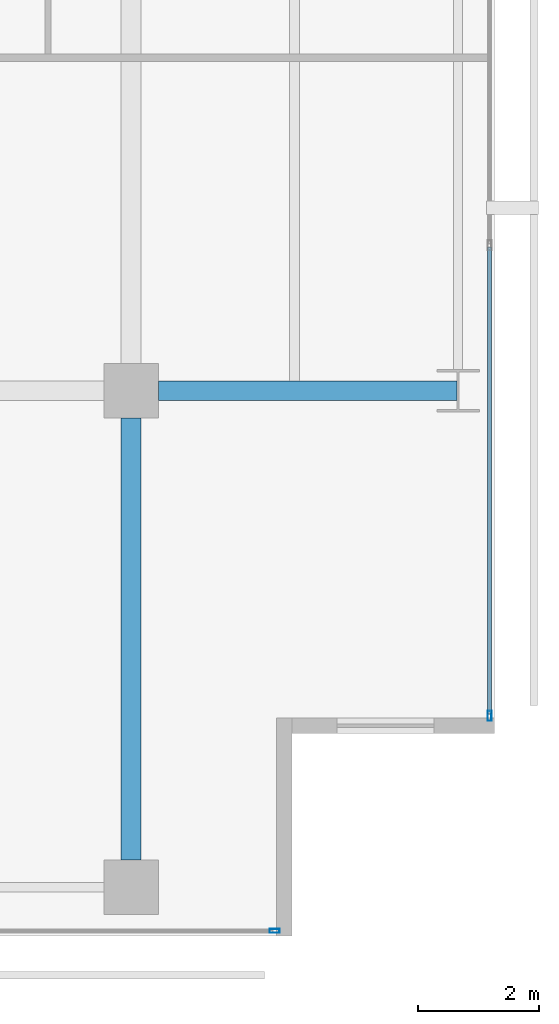
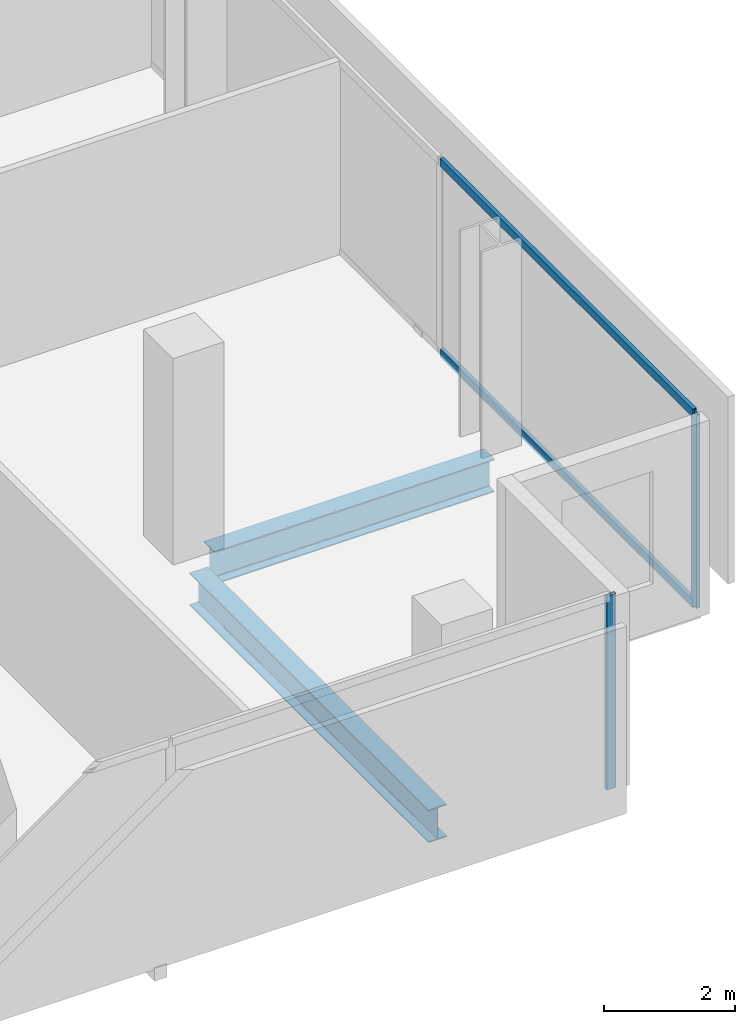
# One storey, part 16 of 40: 4 members, 2 beams, 2 elements without a shape of their own.
"""IFC4 building model written with IfcOpenShell, lengths in metres."""

from ifc_helpers import new_model, si_unit, direction, frame, origin, origin_2d, place, context, subcontext, project, spatial, hollow_rectangle, i_section, extrude, material, layer, layer_set, material_profile, profile_set, type_object, element, aggregate, save


model = new_model("IFC4")

# Units and contexts
model_context = context("Model", 3, precision=1e-05, world=origin(), true_north=direction((0.0, 1.0)))
body_context = subcontext(model_context, "Body", "Model", "MODEL_VIEW")
ifc_project = project(units=[si_unit("LENGTHUNIT", "METRE"), si_unit("AREAUNIT", "SQUARE_METRE"), si_unit("VOLUMEUNIT", "CUBIC_METRE"), si_unit("PLANEANGLEUNIT", "RADIAN"), si_unit("MASSUNIT", "GRAM", prefix="KILO")], contexts=[model_context])

# Site, building, storey
site_placement = place(None, origin())
site = spatial("IfcSite", under=ifc_project, at=site_placement, CompositionType="ELEMENT")
building_placement = place(site_placement, origin())
building = spatial("IfcBuilding", under=site, at=building_placement, Name="Maruvema Waterfront Hotel and Observation Tower", CompositionType="ELEMENT")
storey_placement = place(building_placement, frame((0.0, 0.0, 88.550048828125)))
storey = spatial("IfcBuildingStorey", under=building, at=storey_placement, Name="L21", CompositionType="ELEMENT", Elevation=88.550048828125)

# Curtain wall, members
ifc_material_1 = material(Name="Anodised bronze aluminium and solar-control low-E IGU", Category="aluminium")
ifc_layer = layer(ifc_material_1, 0.159912109375, Name="Zone 1 Bronze Inner Thermal Curtain Wall System CW-02")
ifc_layer_set = layer_set([ifc_layer], Name="Anodised bronze aluminium and solar-control low-E IGU")
curtain_wall_type = type_object("IfcCurtainWallType", Name="Zone 1 Bronze Inner Thermal Curtain Wall System CW-02", PredefinedType="USERDEFINED", material=ifc_layer_set)
curtain_wall_1_placement = place(storey_placement, origin())
curtain_wall_1 = element("IfcCurtainWall", 1, at=curtain_wall_1_placement, inside=storey, type_object=curtain_wall_type, Name="L21 Curtain Wall CW-L21-E", ObjectType="UNITISED CURTAIN WALL", PredefinedType="USERDEFINED")
ifc_material_2 = material(Name="Anodised architectural bronze aluminium", Category="aluminium")
ifc_material_profile_1 = material_profile(ifc_material_2, hollow_rectangle(XDim=0.070068359375, YDim=0.14990234375, WallThickness=0.00390625, at=origin_2d()), Name="ALU-T70x150")
ifc_profile_set_1 = profile_set([ifc_material_profile_1], Name="Anodised architectural bronze aluminium")
member_type_1 = type_object("IfcMemberType", Name="Curtain Wall Horizontal Transom ALU-T70x150", PredefinedType="USERDEFINED", material=ifc_profile_set_1)
member_1_placement = place(storey_placement, frame((64.719970703125, 3.659912109375, 0.030029296875), z_axis=(0.0, 1.0, 0.0), x_axis=(-1.0, 0.0, 0.0)))
member_1 = element("IfcMember", 2, at=member_1_placement, type_object=member_type_1, Name="CW-02 transom 1.1", ObjectType="TRANSOM", PredefinedType="USERDEFINED", context=body_context, shape_type="SweptSolid", body=[
    extrude(hollow_rectangle(XDim=0.070068359375, YDim=0.14990234375, WallThickness=0.00390625, at=origin_2d()), origin(), (0.0, 0.0, 1.0), 7.710205078125),
])
member_2_placement = place(storey_placement, frame((64.719970703125, 3.659912109375, 3.579833984375), z_axis=(0.0, 1.0, 0.0), x_axis=(-1.0, 0.0, 0.0)))
member_2 = element("IfcMember", 3, at=member_2_placement, type_object=member_type_1, Name="CW-02 transom 1.2", ObjectType="TRANSOM", PredefinedType="USERDEFINED", context=body_context, shape_type="SweptSolid", body=[
    extrude(hollow_rectangle(XDim=0.070068359375, YDim=0.14990234375, WallThickness=0.00390625, at=origin_2d()), origin(), (0.0, 0.0, 1.0), 7.710205078125),
])

# Curtain wall, member
curtain_wall_2_placement = place(storey_placement, origin())
curtain_wall_2 = element("IfcCurtainWall", 4, at=curtain_wall_2_placement, inside=storey, type_object=curtain_wall_type, Name="L21 Curtain Wall CW-L21-S", ObjectType="UNITISED CURTAIN WALL", PredefinedType="USERDEFINED")
ifc_material_3 = material(Name="Anodised architectural bronze aluminium", Category="aluminium")
ifc_material_profile_2 = material_profile(ifc_material_3, hollow_rectangle(XDim=0.06494140625, YDim=0.1650390625, WallThickness=0.00390625, at=origin_2d()), Name="ALU-M65x165")
ifc_profile_set_2 = profile_set([ifc_material_profile_2], Name="Anodised architectural bronze aluminium")
member_type_2 = type_object("IfcMemberType", Name="Curtain Wall Primary Mullion ALU-M65x165", PredefinedType="MULLION", material=ifc_profile_set_2)
member_3_placement = place(storey_placement, frame((61.169921875, 0.080078125, 0.0), z_axis=(0.0, 0.0, 1.0), x_axis=(0.0, 1.0, 0.0)))
member_3 = element("IfcMember", 5, at=member_3_placement, type_object=member_type_2, Name="CW-02 mullion 7", PredefinedType="MULLION", context=body_context, shape_type="SweptSolid", body=[
    extrude(hollow_rectangle(XDim=0.06494140625, YDim=0.1650390625, WallThickness=0.00390625, at=origin_2d()), origin(), (0.0, 0.0, 1.0), 3.60986328125),
])
aggregate(curtain_wall_2, [member_3])

# Member
member_4_placement = place(storey_placement, frame((64.719970703125, 3.6298828125, 0.0), z_axis=(0.0, 0.0, 1.0), x_axis=(-1.0, 0.0, 0.0)))
member_4 = element("IfcMember", 6, at=member_4_placement, type_object=member_type_2, Name="CW-02 mullion 1", PredefinedType="MULLION", context=body_context, shape_type="SweptSolid", body=[
    extrude(hollow_rectangle(XDim=0.06494140625, YDim=0.1650390625, WallThickness=0.00390625, at=origin_2d()), origin(), (0.0, 0.0, 1.0), 3.60986328125),
])

aggregate(curtain_wall_1, [member_4, member_1, member_2])

# Beams
ifc_material_4 = material(Name="Steel ASTM A572 Grade 50", Category="steel")
ifc_material_profile_3 = material_profile(ifc_material_4, i_section(OverallWidth=0.323974609375, OverallDepth=0.611083984375, WebThickness=0.0126953125, FlangeThickness=0.01904296875, FilletRadius=0.01806640625, at=origin_2d()), Name="W610x155.0")
ifc_profile_set_3 = profile_set([ifc_material_profile_3], Name="Steel ASTM A572 Grade 50")
beam_type = type_object("IfcBeamType", Name="Primary Floor Girder W610x155.0", PredefinedType="BEAM", material=ifc_profile_set_3)
beam_1_placement = place(storey_placement, frame((59.25, 9.0, -0.545654296875), z_axis=(1.0, 0.0, 0.0), x_axis=(0.0, 1.0, 0.0)))
element("IfcBeam", 7, at=beam_1_placement, inside=storey, type_object=beam_type, Name="L21 Floor Girder EW-12", PredefinedType="BEAM", context=body_context, shape_type="SweptSolid", body=[
    extrude(i_section(OverallWidth=0.323974609375, OverallDepth=0.611083984375, WebThickness=0.0126953125, FlangeThickness=0.01904296875, FilletRadius=0.01806640625, at=origin_2d()), origin(), (0.0, 0.0, 1.0), 4.93603515625),
])
beam_2_placement = place(storey_placement, frame((58.800048828125, 1.25, -0.545654296875), z_axis=(0.0, 1.0, 0.0), x_axis=(-1.0, 0.0, 0.0)))
element("IfcBeam", 8, at=beam_2_placement, inside=storey, type_object=beam_type, Name="L21 Floor Girder NS-27", PredefinedType="BEAM", context=body_context, shape_type="SweptSolid", body=[
    extrude(i_section(OverallWidth=0.323974609375, OverallDepth=0.611083984375, WebThickness=0.0126953125, FlangeThickness=0.01904296875, FilletRadius=0.01806640625, at=origin_2d()), origin(), (0.0, 0.0, 1.0), 7.300048828125),
])

save(model, "model.ifc")
